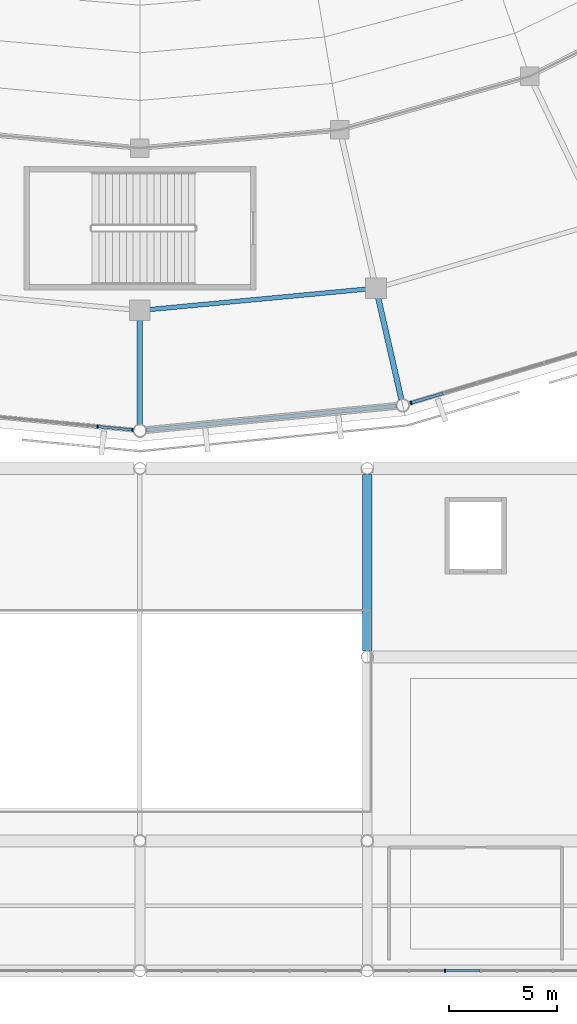
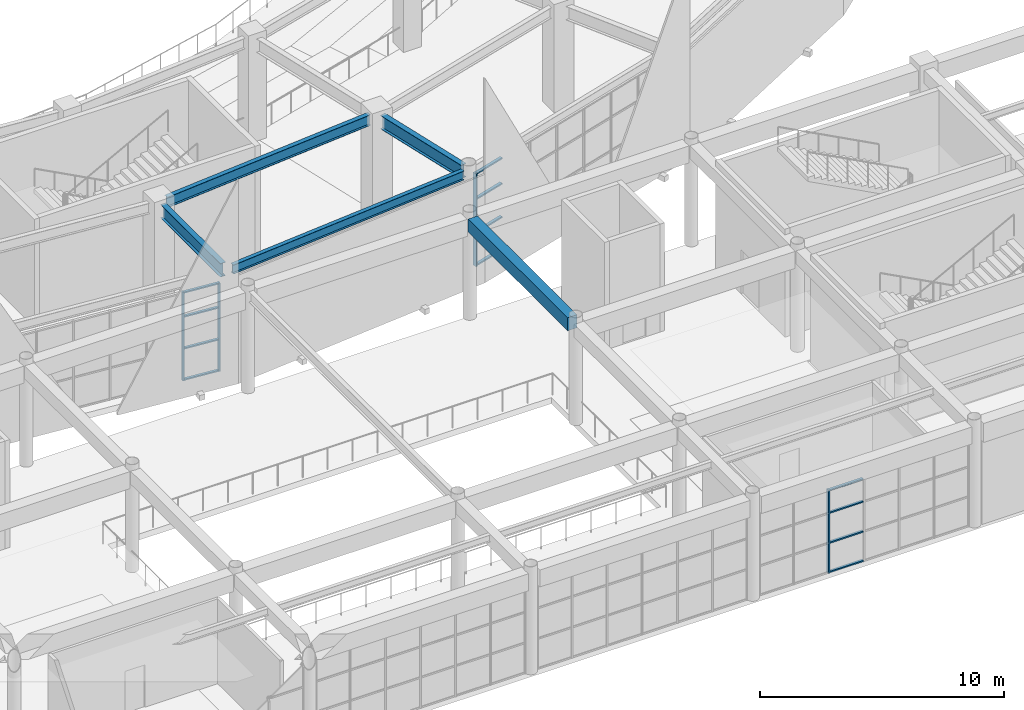
# One storey, part 25 of 120: 16 members, 5 beams, 3 elements without a shape of their own.
"""IFC4 building model written with IfcOpenShell, lengths in metres."""

from ifc_helpers import new_model, si_unit, direction, frame, origin, origin_2d, place, context, subcontext, project, spatial, rectangle, i_section, extrude, material, material_profile, profile_set, type_object, element, aggregate, save


model = new_model("IFC4")

# Units and contexts
model_context = context("Model", 3, precision=1e-05, world=origin(), true_north=direction((0.0, 1.0)))
body_context = subcontext(model_context, "Body", "Model", "MODEL_VIEW")
ifc_project = project(units=[si_unit("LENGTHUNIT", "METRE"), si_unit("AREAUNIT", "SQUARE_METRE"), si_unit("VOLUMEUNIT", "CUBIC_METRE"), si_unit("PLANEANGLEUNIT", "RADIAN"), si_unit("MASSUNIT", "GRAM", prefix="KILO")], contexts=[model_context])

# Site, building, storey
site_placement = place(None, origin())
site = spatial("IfcSite", under=ifc_project, at=site_placement, CompositionType="ELEMENT")
building_placement = place(site_placement, origin())
building = spatial("IfcBuilding", under=site, at=building_placement, Name="Cuetzalor Civic Arena", CompositionType="ELEMENT")
storey_placement = place(building_placement, frame((0.0, 0.0, 6.0)))
storey = spatial("IfcBuildingStorey", under=building, at=storey_placement, Name="L01", CompositionType="ELEMENT", Elevation=6.0)

# Beam
ifc_material_1 = material(Name="Concrete C40/50", Category="concrete")
ifc_material_profile_1 = material_profile(ifc_material_1, rectangle(XDim=0.449951171875, YDim=0.64990234375, at=origin_2d()), Name="RC 450x650")
ifc_profile_set_1 = profile_set([ifc_material_profile_1], Name="Concrete C40/50")
beam_type_1 = type_object("IfcBeamType", Name="ConcreteTieBeam_450x650", PredefinedType="BEAM", material=ifc_profile_set_1)
beam_1_placement = place(storey_placement, frame((10.5, -56.73046875, 4.794921875), z_axis=(0.0, 1.0, 0.0), x_axis=(-1.0, 0.0, 0.0)))
element("IfcBeam", 1, at=beam_1_placement, inside=storey, type_object=beam_type_1, Name="Frame Girder V3-L01-Y0335", PredefinedType="BEAM", context=body_context, shape_type="SweptSolid", body=[
    extrude(rectangle(XDim=0.449951171875, YDim=0.64990234375, at=origin_2d()), origin(), (0.0, 0.0, 1.0), 8.160888671875),
])

# Curtain wall, members
ifc_material_2 = material(Name="Anodised dark bronze aluminium and low-E solar glass", Category="aluminium")
curtain_wall_type_1 = type_object("IfcCurtainWallType", Name="UnitisedCW_11550x4450", PredefinedType="USERDEFINED", material=ifc_material_2)
curtain_wall_1_placement = place(storey_placement, origin())
curtain_wall_1 = element("IfcCurtainWall", 2, at=curtain_wall_1_placement, inside=storey, type_object=curtain_wall_type_1, Name="Drum Triangle Foyer Curtain Wall L01-029", ObjectType="UNITISED CURTAIN WALL", PredefinedType="USERDEFINED")
ifc_material_3 = material(Name="Anodised dark bronze aluminium", Category="aluminium")
ifc_material_profile_2 = material_profile(ifc_material_3, rectangle(XDim=0.06494140625, YDim=0.14990234375, at=origin_2d()), Name="ALU MULLION 65x150")
ifc_profile_set_2 = profile_set([ifc_material_profile_2], Name="Anodised dark bronze aluminium")
member_type_1 = type_object("IfcMemberType", Name="CurtainWallMullion_60x150", PredefinedType="MULLION", material=ifc_profile_set_2)
member_1_placement = place(storey_placement, frame((-0.345703125, -46.516845703125, 0.0), z_axis=(0.0, 0.0, 1.0), x_axis=(-0.995409139996, 0.095711253324, 0.0)))
member_1 = element("IfcMember", 3, at=member_1_placement, type_object=member_type_1, Name="CW-08 mullion 1", PredefinedType="MULLION", context=body_context, shape_type="SweptSolid", body=[
    extrude(rectangle(XDim=0.06494140625, YDim=0.14990234375, at=origin_2d()), origin(), (0.0, 0.0, 1.0), 4.431884765625),
])
member_2_placement = place(storey_placement, frame((-1.957763671875, -46.36181640625, 0.0), z_axis=(0.0, 0.0, 1.0), x_axis=(-0.995409139996, 0.095711253324, 0.0)))
member_2 = element("IfcMember", 4, at=member_2_placement, type_object=member_type_1, Name="CW-08 mullion 2", PredefinedType="MULLION", context=body_context, shape_type="SweptSolid", body=[
    extrude(rectangle(XDim=0.06494140625, YDim=0.14990234375, at=origin_2d()), origin(), (0.0, 0.0, 1.0), 4.431884765625),
])

# Curtain wall, member
ifc_material_4 = material(Name="Anodised dark bronze aluminium and low-E solar glass", Category="aluminium")
curtain_wall_type_2 = type_object("IfcCurtainWallType", Name="StickCW_10000x4150", PredefinedType="USERDEFINED", material=ifc_material_4)
curtain_wall_2_placement = place(storey_placement, origin())
curtain_wall_2 = element("IfcCurtainWall", 5, at=curtain_wall_2_placement, inside=storey, type_object=curtain_wall_type_2, Name="South Civic Square Curtain Wall L01-086", ObjectType="STICK CURTAIN WALL", PredefinedType="USERDEFINED")
member_3_placement = place(storey_placement, frame((14.087158203125, -71.5, 0.0), z_axis=(0.0, 0.0, 1.0), x_axis=(-1.0, 0.0, 0.0)))
member_3 = element("IfcMember", 6, at=member_3_placement, type_object=member_type_1, Name="CW-25 mullion 5", PredefinedType="MULLION", context=body_context, shape_type="SweptSolid", body=[
    extrude(rectangle(XDim=0.06494140625, YDim=0.14990234375, at=origin_2d()), origin(), (0.0, 0.0, 1.0), 4.159912109375),
])

ifc_material_5 = material(Name="Anodised dark bronze aluminium and low-E solar glass", Category="aluminium")
curtain_wall_type_3 = type_object("IfcCurtainWallType", Name="UnitisedCW_11300x4650", PredefinedType="USERDEFINED", material=ifc_material_5)
curtain_wall_3_placement = place(storey_placement, origin())
curtain_wall_3 = element("IfcCurtainWall", 7, at=curtain_wall_3_placement, inside=storey, type_object=curtain_wall_type_3, Name="Drum Triangle Foyer Curtain Wall L01-030", ObjectType="UNITISED CURTAIN WALL", PredefinedType="USERDEFINED")
ifc_material_6 = material(Name="Anodised dark bronze aluminium", Category="aluminium")
ifc_material_profile_3 = material_profile(ifc_material_6, rectangle(XDim=0.070068359375, YDim=0.179931640625, at=origin_2d()), Name="ALU MULLION 70x180")
ifc_profile_set_3 = profile_set([ifc_material_profile_3], Name="Anodised dark bronze aluminium")
member_type_2 = type_object("IfcMemberType", Name="CurtainWallMullion_65x180", PredefinedType="MULLION", material=ifc_profile_set_3)
member_4_placement = place(storey_placement, frame((12.5185546875, -45.26953125, 0.0), z_axis=(0.0, 0.0, 1.0), x_axis=(-0.958193690548, -0.286120344251, 0.0)))
member_4 = element("IfcMember", 8, at=member_4_placement, type_object=member_type_2, Name="CW-09 mullion 8", PredefinedType="MULLION", context=body_context, shape_type="SweptSolid", body=[
    extrude(rectangle(XDim=0.070068359375, YDim=0.179931640625, at=origin_2d()), origin(), (0.0, 0.0, 1.0), 4.653076171875),
])

# Member
ifc_material_7 = material(Name="Anodised dark bronze aluminium", Category="aluminium")
ifc_material_profile_4 = material_profile(ifc_material_7, rectangle(XDim=0.1201171875, YDim=0.06494140625, at=origin_2d()), Name="ALU TRANSOM 65x120")
ifc_profile_set_4 = profile_set([ifc_material_profile_4], Name="Anodised dark bronze aluminium")
member_type_3 = type_object("IfcMemberType", Name="CurtainWallTransom_60x120", PredefinedType="USERDEFINED", material=ifc_profile_set_4)
member_5_placement = place(storey_placement, frame((-0.3779296875, -46.513671875, 0.032470703125), z_axis=(-0.995416793915, 0.095631618157, 0.0), x_axis=(-0.095631618157, -0.995416793915, 0.0)))
member_5 = element("IfcMember", 9, at=member_5_placement, type_object=member_type_3, Name="CW-08 transom 1.1", ObjectType="TRANSOM", PredefinedType="USERDEFINED", context=body_context, shape_type="SweptSolid", body=[
    extrude(rectangle(XDim=0.1201171875, YDim=0.06494140625, at=origin_2d()), origin(), (0.0, 0.0, 1.0), 1.5546875),
])

member_6_placement = place(storey_placement, frame((-0.3779296875, -46.513671875, 1.595947265625), z_axis=(-0.995416793915, 0.095631618157, 0.0), x_axis=(-0.095631618157, -0.995416793915, 0.0)))
member_6 = element("IfcMember", 10, at=member_6_placement, type_object=member_type_3, Name="CW-08 transom 1.2", ObjectType="TRANSOM", PredefinedType="USERDEFINED", context=body_context, shape_type="SweptSolid", body=[
    extrude(rectangle(XDim=0.1201171875, YDim=0.06494140625, at=origin_2d()), origin(), (0.0, 0.0, 1.0), 1.5546875),
])

member_7_placement = place(storey_placement, frame((-0.3779296875, -46.513671875, 3.19091796875), z_axis=(-0.995416793915, 0.095631618157, 0.0), x_axis=(-0.095631618157, -0.995416793915, 0.0)))
member_7 = element("IfcMember", 11, at=member_7_placement, type_object=member_type_3, Name="CW-08 transom 1.3", ObjectType="TRANSOM", PredefinedType="USERDEFINED", context=body_context, shape_type="SweptSolid", body=[
    extrude(rectangle(XDim=0.1201171875, YDim=0.06494140625, at=origin_2d()), origin(), (0.0, 0.0, 1.0), 1.5546875),
])

member_8_placement = place(storey_placement, frame((-0.3779296875, -46.513671875, 4.3994140625), z_axis=(-0.995416793915, 0.095631618157, 0.0), x_axis=(-0.095631618157, -0.995416793915, 0.0)))
member_8 = element("IfcMember", 12, at=member_8_placement, type_object=member_type_3, Name="CW-08 transom 1.4", ObjectType="TRANSOM", PredefinedType="USERDEFINED", context=body_context, shape_type="SweptSolid", body=[
    extrude(rectangle(XDim=0.1201171875, YDim=0.06494140625, at=origin_2d()), origin(), (0.0, 0.0, 1.0), 1.5546875),
])

aggregate(curtain_wall_1, [member_1, member_2, member_5, member_6, member_7, member_8])

member_9_placement = place(storey_placement, frame((15.717529296875, -71.5, 0.032470703125), z_axis=(-1.0, 0.0, 0.0), x_axis=(0.0, -1.0, 0.0)))
member_9 = element("IfcMember", 13, at=member_9_placement, type_object=member_type_3, Name="CW-25 transom 4.1", ObjectType="TRANSOM", PredefinedType="USERDEFINED", context=body_context, shape_type="SweptSolid", body=[
    extrude(rectangle(XDim=0.1201171875, YDim=0.06494140625, at=origin_2d()), origin(), (0.0, 0.0, 1.0), 1.597900390625),
])

member_10_placement = place(storey_placement, frame((15.717529296875, -71.5, 1.498046875), z_axis=(-1.0, 0.0, 0.0), x_axis=(0.0, -1.0, 0.0)))
member_10 = element("IfcMember", 14, at=member_10_placement, type_object=member_type_3, Name="CW-25 transom 4.2", ObjectType="TRANSOM", PredefinedType="USERDEFINED", context=body_context, shape_type="SweptSolid", body=[
    extrude(rectangle(XDim=0.1201171875, YDim=0.06494140625, at=origin_2d()), origin(), (0.0, 0.0, 1.0), 1.597900390625),
])

member_11_placement = place(storey_placement, frame((15.717529296875, -71.5, 2.9951171875), z_axis=(-1.0, 0.0, 0.0), x_axis=(0.0, -1.0, 0.0)))
member_11 = element("IfcMember", 15, at=member_11_placement, type_object=member_type_3, Name="CW-25 transom 4.3", ObjectType="TRANSOM", PredefinedType="USERDEFINED", context=body_context, shape_type="SweptSolid", body=[
    extrude(rectangle(XDim=0.1201171875, YDim=0.06494140625, at=origin_2d()), origin(), (0.0, 0.0, 1.0), 1.597900390625),
])

member_12_placement = place(storey_placement, frame((15.717529296875, -71.5, 4.12744140625), z_axis=(-1.0, 0.0, 0.0), x_axis=(0.0, -1.0, 0.0)))
member_12 = element("IfcMember", 16, at=member_12_placement, type_object=member_type_3, Name="CW-25 transom 4.4", ObjectType="TRANSOM", PredefinedType="USERDEFINED", context=body_context, shape_type="SweptSolid", body=[
    extrude(rectangle(XDim=0.1201171875, YDim=0.06494140625, at=origin_2d()), origin(), (0.0, 0.0, 1.0), 1.597900390625),
])

aggregate(curtain_wall_2, [member_3, member_9, member_10, member_11, member_12])

ifc_material_8 = material(Name="Anodised dark bronze aluminium", Category="aluminium")
ifc_material_profile_5 = material_profile(ifc_material_8, rectangle(XDim=0.139892578125, YDim=0.070068359375, at=origin_2d()), Name="ALU TRANSOM 70x140")
ifc_profile_set_5 = profile_set([ifc_material_profile_5], Name="Anodised dark bronze aluminium")
member_type_4 = type_object("IfcMemberType", Name="CurtainWallTransom_65x140", PredefinedType="USERDEFINED", material=ifc_profile_set_5)
member_13_placement = place(storey_placement, frame((13.99951171875, -44.8271484375, 0.034912109375), z_axis=(-0.958168093169, -0.286206053804, 0.0), x_axis=(0.286206053804, -0.958168093169, 0.0)))
member_13 = element("IfcMember", 17, at=member_13_placement, type_object=member_type_4, Name="CW-09 transom 7.1", ObjectType="TRANSOM", PredefinedType="USERDEFINED", context=body_context, shape_type="SweptSolid", body=[
    extrude(rectangle(XDim=0.139892578125, YDim=0.070068359375, at=origin_2d()), origin(), (0.0, 0.0, 1.0), 1.5107421875),
])

member_14_placement = place(storey_placement, frame((13.99951171875, -44.8271484375, 1.675048828125), z_axis=(-0.958168093169, -0.286206053804, 0.0), x_axis=(0.286206053804, -0.958168093169, 0.0)))
member_14 = element("IfcMember", 18, at=member_14_placement, type_object=member_type_4, Name="CW-09 transom 7.2", ObjectType="TRANSOM", PredefinedType="USERDEFINED", context=body_context, shape_type="SweptSolid", body=[
    extrude(rectangle(XDim=0.139892578125, YDim=0.070068359375, at=origin_2d()), origin(), (0.0, 0.0, 1.0), 1.5107421875),
])

member_15_placement = place(storey_placement, frame((13.99951171875, -44.8271484375, 3.35009765625), z_axis=(-0.958168093169, -0.286206053804, 0.0), x_axis=(0.286206053804, -0.958168093169, 0.0)))
member_15 = element("IfcMember", 19, at=member_15_placement, type_object=member_type_4, Name="CW-09 transom 7.3", ObjectType="TRANSOM", PredefinedType="USERDEFINED", context=body_context, shape_type="SweptSolid", body=[
    extrude(rectangle(XDim=0.139892578125, YDim=0.070068359375, at=origin_2d()), origin(), (0.0, 0.0, 1.0), 1.5107421875),
])

member_16_placement = place(storey_placement, frame((13.99951171875, -44.8271484375, 4.617919921875), z_axis=(-0.958168093169, -0.286206053804, 0.0), x_axis=(0.286206053804, -0.958168093169, 0.0)))
member_16 = element("IfcMember", 20, at=member_16_placement, type_object=member_type_4, Name="CW-09 transom 7.4", ObjectType="TRANSOM", PredefinedType="USERDEFINED", context=body_context, shape_type="SweptSolid", body=[
    extrude(rectangle(XDim=0.139892578125, YDim=0.070068359375, at=origin_2d()), origin(), (0.0, 0.0, 1.0), 1.5107421875),
])

aggregate(curtain_wall_3, [member_4, member_13, member_14, member_15, member_16])

# Beams
ifc_material_9 = material(Name="Steel S355", Category="steel")
ifc_material_profile_6 = material_profile(ifc_material_9, i_section(OverallWidth=0.18994140625, OverallDepth=0.45703125, WebThickness=0.009033203125, FlangeThickness=0.014404296875, at=origin_2d()), Name="W460x74")
ifc_profile_set_6 = profile_set([ifc_material_profile_6], Name="Steel S355")
beam_type_2 = type_object("IfcBeamType", Name="FacadeSpandrelBeam_W460", PredefinedType="SPANDREL", material=ifc_profile_set_6)
beam_2_placement = place(storey_placement, frame((0.288818359375, -46.522216796875, 4.8916015625), z_axis=(0.995409568272, 0.095706799095, 0.0), x_axis=(-0.095706799095, 0.995409568272, 0.0)))
element("IfcBeam", 21, at=beam_2_placement, inside=storey, type_object=beam_type_2, Name="Drum Perimeter Spandrel L01-S22", PredefinedType="SPANDREL", context=body_context, shape_type="SweptSolid", body=[
    extrude(i_section(OverallWidth=0.18994140625, OverallDepth=0.45703125, WebThickness=0.009033203125, FlangeThickness=0.014404296875, at=origin_2d()), origin(), (0.0, 0.0, 1.0), 11.6142578125),
])
ifc_material_10 = material(Name="Steel S355", Category="steel")
ifc_material_profile_7 = material_profile(ifc_material_10, i_section(OverallWidth=0.208984375, OverallDepth=0.532958984375, WebThickness=0.01025390625, FlangeThickness=0.015625, at=origin_2d()), Name="W530x92")
ifc_profile_set_7 = profile_set([ifc_material_profile_7], Name="Steel S355")
beam_type_3 = type_object("IfcBeamType", Name="SteelCollarGirder_W530", PredefinedType="BEAM", material=ifc_profile_set_7)
beam_3_placement = place(storey_placement, frame((0.368408203125, -40.96533203125, 4.853515625), z_axis=(0.995583045118, 0.093885037538, 0.0), x_axis=(-0.093885037538, 0.995583045118, 0.0)))
element("IfcBeam", 22, at=beam_3_placement, inside=storey, type_object=beam_type_3, Name="Drum Concourse Ring Girder L01-S22", PredefinedType="BEAM", context=body_context, shape_type="SweptSolid", body=[
    extrude(i_section(OverallWidth=0.208984375, OverallDepth=0.532958984375, WebThickness=0.01025390625, FlangeThickness=0.015625, at=origin_2d()), origin(), (0.0, 0.0, 1.0), 10.2119140625),
])
ifc_material_11 = material(Name="Steel S355", Category="steel")
ifc_material_profile_8 = material_profile(ifc_material_11, i_section(OverallWidth=0.2529296875, OverallDepth=0.677978515625, WebThickness=0.01171875, FlangeThickness=0.016357421875, at=origin_2d()), Name="W690x125")
ifc_profile_set_8 = profile_set([ifc_material_profile_8], Name="Steel S355")
beam_type_4 = type_object("IfcBeamType", Name="SteelPrimaryGirder_W690", PredefinedType="BEAM", material=ifc_profile_set_8)
for number, where, z_axis, x_axis, name in (
    (23, (0.0, -41.360107421875, 4.781005859375), (0.0, -1.0, 0.0), (1.0, 0.0, 0.0), "Drum Radial Girder L01-R22"),
    (24, (10.983642578125, -40.322998046875, 4.781005859375), (0.222519036633, -0.974928345231, 0.0), (0.974928345231, 0.222519036633, 0.0), "Drum Radial Girder L01-R23"),
):
    element("IfcBeam", number, at=place(storey_placement, frame(where, z_axis=z_axis, x_axis=x_axis)), inside=storey, type_object=beam_type_4, Name=name, PredefinedType="BEAM", context=body_context, shape_type="SweptSolid", body=[
        extrude(i_section(OverallWidth=0.2529296875, OverallDepth=0.677978515625, WebThickness=0.01171875, FlangeThickness=0.016357421875, at=origin_2d()), origin(), (0.0, 0.0, 1.0), 4.89990234375),
    ])

save(model, "model.ifc")
